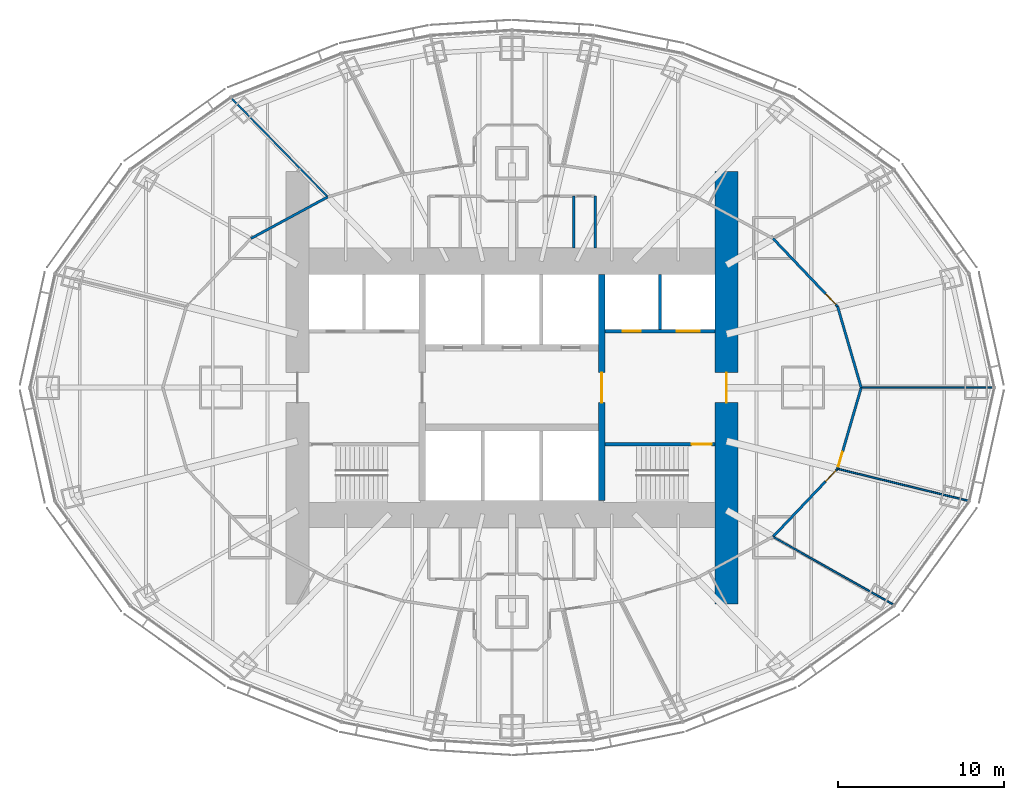
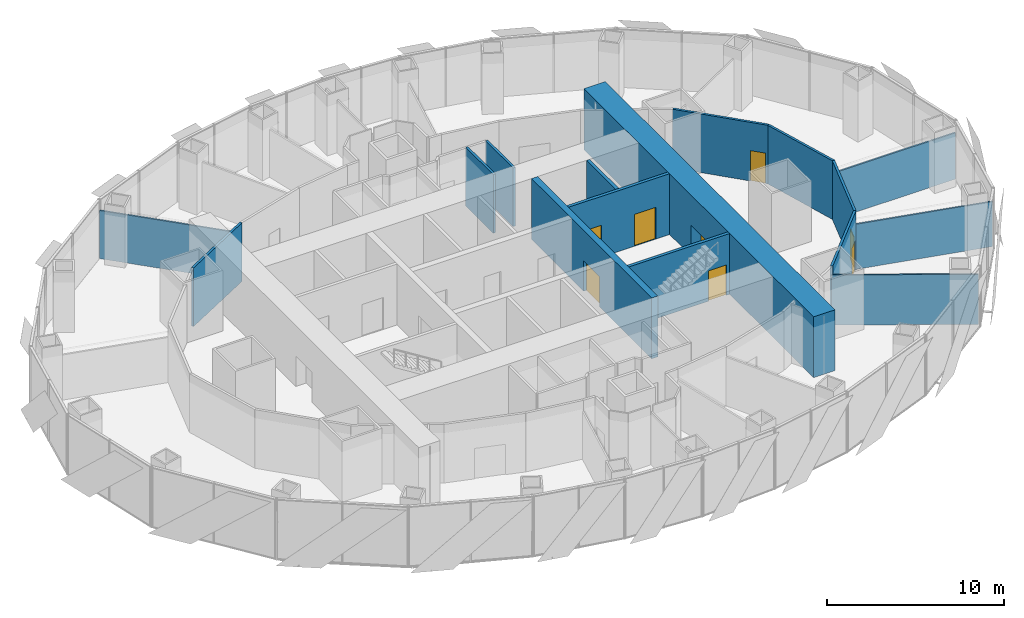
# One storey, part 12 of 18: 16 walls, 8 doors, 8 openings.
"""IFC4 building model written with IfcOpenShell, lengths in metres."""

from ifc_helpers import new_model, si_unit, direction, frame, frame_2d, origin, place, context, subcontext, project, spatial, rectangle, extrude, material, layer, layer_set, type_object, element, fill, save


model = new_model("IFC4")

# Units and contexts
model_context = context("Model", 3, precision=1e-05, world=origin(), true_north=direction((0.0, 1.0)))
body_context = subcontext(model_context, "Body", "Model", "MODEL_VIEW")
ifc_project = project(units=[si_unit("LENGTHUNIT", "METRE"), si_unit("AREAUNIT", "SQUARE_METRE"), si_unit("VOLUMEUNIT", "CUBIC_METRE"), si_unit("PLANEANGLEUNIT", "RADIAN"), si_unit("MASSUNIT", "GRAM", prefix="KILO")], contexts=[model_context])

# Site, building, storey
site_placement = place(None, origin())
site = spatial("IfcSite", under=ifc_project, at=site_placement, CompositionType="ELEMENT")
building_placement = place(site_placement, origin())
building = spatial("IfcBuilding", under=site, at=building_placement, Name="Lantaw Convention Tower", CompositionType="ELEMENT")
storey_placement = place(building_placement, frame((0.0, 0.0, 138.39990234375)))
storey = spatial("IfcBuildingStorey", under=building, at=storey_placement, Name="L32", CompositionType="ELEMENT", Elevation=138.39990234375)

# Wall, opening, door
ifc_material_1 = material(Name="Concrete C60/75", Category="concrete")
ifc_layer_1 = layer(ifc_material_1, 1.39990234375)
ifc_layer_set_1 = layer_set([ifc_layer_1], Name="Core wall 1400")
wall_type_1 = type_object("IfcWallType", Name="Core wall 1400", PredefinedType="SHEAR", material=ifc_layer_set_1)
wall_1_placement = place(storey_placement, frame((12.89990234375, -13.0, 0.0), z_axis=(0.0, 0.0, 1.0), x_axis=(0.0, 1.0, 0.0)))
wall_1 = element("IfcWall", 1, at=wall_1_placement, inside=storey, type_object=wall_type_1, Name="Core wall E", PredefinedType="SHEAR", context=body_context, shape_type="SweptSolid", body=[
    extrude(rectangle(XDim=26.0, YDim=1.39990234375, at=frame_2d((13.0, 0.0))), origin(), (0.0, 0.0, 1.0), 4.2001953125),
])
opening_1_placement = place(wall_1_placement, frame((12.10009765625, 0.0, 0.0)))
opening_1 = element("IfcOpeningElement", 2, at=opening_1_placement, cuts=wall_1, Name="Opening L32.05", PredefinedType="OPENING", context=body_context, shape_type="SweptSolid", body=[
    extrude(rectangle(XDim=1.800048828125, YDim=2.10009765625, at=frame_2d((0.89990234375, 1.050048828125))), frame((0.0, 0.7099609375, 0.0), z_axis=(0.0, -1.0, 0.0), x_axis=(1.0, 0.0, 0.0)), (0.0, 0.0, 1.0), 1.419921875),
])
ifc_material_2 = material(Name="Steel, fire rated", Category="steel")
door_type_1 = type_object("IfcDoorType", Name="Lobby double door FD90", OperationType="DOUBLE_DOOR_DOUBLE_SWING", PredefinedType="DOOR", material=ifc_material_2)
door_1_placement = place(opening_1_placement, origin())
door_1 = element("IfcDoor", 3, at=door_1_placement, inside=storey, type_object=door_type_1, Name="Firefighting lobby door", OperationType="DOUBLE_DOOR_DOUBLE_SWING", OverallHeight=2.10009765625, OverallWidth=1.800048828125, PredefinedType="DOOR", context=body_context, shape_type="SweptSolid", body=[
    extrude(rectangle(XDim=1.800048828125, YDim=2.10009765625, at=frame_2d((0.89990234375, 1.050048828125))), frame((0.0, 0.02490234375, 0.0), z_axis=(0.0, -1.0, 0.0), x_axis=(1.0, 0.0, 0.0)), (0.0, 0.0, 1.0), 0.050048828125),
])
fill(opening_1, door_1)

ifc_layer_2 = layer(ifc_material_1, 0.199951171875)
ifc_layer_set_2 = layer_set([ifc_layer_2], Name="Core wall 200")
wall_type_2 = type_object("IfcWallType", Name="Core wall 200", PredefinedType="SHEAR", material=ifc_layer_set_2)
wall_2_placement = place(storey_placement, frame((5.60009765625, -3.39990234375, 0.0), z_axis=(0.0, 0.0, 1.0), x_axis=(1.0, 0.0, 0.0)))
wall_2 = element("IfcWall", 4, at=wall_2_placement, inside=storey, type_object=wall_type_2, Name="Core wall ES", PredefinedType="SHEAR", context=body_context, shape_type="SweptSolid", body=[
    extrude(rectangle(XDim=6.599853515625, YDim=0.199951171875, at=frame_2d((3.2998046875, 0.0))), origin(), (0.0, 0.0, 1.0), 4.2001953125),
])
opening_2_placement = place(wall_2_placement, frame((5.199951171875, 0.0, 0.0)))
opening_2 = element("IfcOpeningElement", 5, at=opening_2_placement, cuts=wall_2, Name="Opening L32.03", PredefinedType="OPENING", context=body_context, shape_type="SweptSolid", body=[
    extrude(rectangle(XDim=1.199951171875, YDim=2.10009765625, at=frame_2d((0.60009765625, 1.050048828125))), frame((0.0, 0.10986328125, 0.0), z_axis=(0.0, -1.0, 0.0), x_axis=(1.0, 0.0, 0.0)), (0.0, 0.0, 1.0), 0.219970703125),
])
door_type_2 = type_object("IfcDoorType", Name="Stair door FD90", OperationType="SINGLE_SWING_RIGHT", PredefinedType="DOOR", material=ifc_material_2)
door_2_placement = place(opening_2_placement, origin())
door_2 = element("IfcDoor", 6, at=door_2_placement, inside=storey, type_object=door_type_2, Name="Exit stair door", OperationType="SINGLE_SWING_RIGHT", OverallHeight=2.10009765625, OverallWidth=1.199951171875, PredefinedType="DOOR", context=body_context, shape_type="SweptSolid", body=[
    extrude(rectangle(XDim=1.199951171875, YDim=2.10009765625, at=frame_2d((0.60009765625, 1.050048828125))), frame((0.0, 0.02490234375, 0.0), z_axis=(0.0, -1.0, 0.0), x_axis=(1.0, 0.0, 0.0)), (0.0, 0.0, 1.0), 0.050048828125),
])
fill(opening_2, door_2)

ifc_layer_3 = layer(ifc_material_1, 0.39990234375)
ifc_layer_set_3 = layer_set([ifc_layer_3], Name="Core wall 400")
wall_type_3 = type_object("IfcWallType", Name="Core wall 400", PredefinedType="SHEAR", material=ifc_layer_set_3)
wall_3_placement = place(storey_placement, frame((5.39990234375, -6.800048828125, 0.0), z_axis=(0.0, 0.0, 1.0), x_axis=(0.0, 1.0, 0.0)))
wall_3 = element("IfcWall", 7, at=wall_3_placement, inside=storey, type_object=wall_type_3, Name="Core wall XE", PredefinedType="SHEAR", context=body_context, shape_type="SweptSolid", body=[
    extrude(rectangle(XDim=13.60009765625, YDim=0.39990234375, at=frame_2d((6.800048828125, 0.0))), origin(), (0.0, 0.0, 1.0), 4.2001953125),
])
opening_3_placement = place(wall_3_placement, frame((5.89990234375, 0.0, 0.0)))
opening_3 = element("IfcOpeningElement", 8, at=opening_3_placement, cuts=wall_3, Name="Opening L32.01", PredefinedType="OPENING", context=body_context, shape_type="SweptSolid", body=[
    extrude(rectangle(XDim=1.800048828125, YDim=2.10009765625, at=frame_2d((0.89990234375, 1.050048828125))), frame((0.0, 0.2099609375, 0.0), z_axis=(0.0, -1.0, 0.0), x_axis=(1.0, 0.0, 0.0)), (0.0, 0.0, 1.0), 0.419921875),
])
door_3_placement = place(opening_3_placement, origin())
door_3 = element("IfcDoor", 9, at=door_3_placement, inside=storey, type_object=door_type_1, Name="Lift lobby door", OperationType="DOUBLE_DOOR_DOUBLE_SWING", OverallHeight=2.10009765625, OverallWidth=1.800048828125, PredefinedType="DOOR", context=body_context, shape_type="SweptSolid", body=[
    extrude(rectangle(XDim=1.800048828125, YDim=2.10009765625, at=frame_2d((0.89990234375, 1.050048828125))), frame((0.0, 0.02490234375, 0.0), z_axis=(0.0, -1.0, 0.0), x_axis=(1.0, 0.0, 0.0)), (0.0, 0.0, 1.0), 0.050048828125),
])
fill(opening_3, door_3)

# Wall
ifc_material_3 = material(Name="Gypsum board on steel studs, fire rated", Category="steel")
ifc_layer_4 = layer(ifc_material_3, 0.14990234375)
ifc_layer_set_4 = layer_set([ifc_layer_4], Name="Corridor wall 150 EI 60")
wall_type_4 = type_object("IfcWallType", Name="Corridor wall 150 EI 60", PredefinedType="PARTITIONING", material=ifc_layer_set_4)
wall_4_placement = place(storey_placement, frame((21.0, 0.0, 0.0), z_axis=(0.0, 0.0, 1.0), x_axis=(-0.279474430869, 0.960153134917, 0.0)))
element("IfcWall", 10, at=wall_4_placement, inside=storey, type_object=wall_type_4, Name="Corridor wall 150", PredefinedType="PARTITIONING", context=body_context, shape_type="SweptSolid", body=[
    extrude(rectangle(XDim=5.084228515625, YDim=0.14990234375, at=frame_2d((2.5419921875, 0.0))), origin(), (0.0, 0.0, 1.0), 4.050048828125),
])

# Wall, opening, door
wall_5_placement = place(storey_placement, frame((19.5791015625, 4.881591796875, 0.0), z_axis=(0.0, 0.0, 1.0), x_axis=(-0.688797257101, 0.72495402517, 0.0)))
wall_5 = element("IfcWall", 11, at=wall_5_placement, inside=storey, type_object=wall_type_4, Name="Corridor wall 150", PredefinedType="PARTITIONING", context=body_context, shape_type="SweptSolid", body=[
    extrude(rectangle(XDim=5.63818359375, YDim=0.14990234375, at=frame_2d((2.819091796875, 0.0))), origin(), (0.0, 0.0, 1.0), 4.050048828125),
])
opening_4_placement = place(wall_5_placement, frame((0.14990234375, 0.0, 0.0)))
opening_4 = element("IfcOpeningElement", 12, at=opening_4_placement, cuts=wall_5, Name="Opening L32.22", PredefinedType="OPENING", context=body_context, shape_type="SweptSolid", body=[
    extrude(rectangle(XDim=0.89990234375, YDim=2.10009765625, at=frame_2d((0.449951171875, 1.050048828125))), frame((0.0, 0.0849609375, 0.0), z_axis=(0.0, -1.0, 0.0), x_axis=(1.0, 0.0, 0.0)), (0.0, 0.0, 1.0), 0.169921875),
])
door_type_3 = type_object("IfcDoorType", Name="Office door 900 FD30", OperationType="SINGLE_SWING_LEFT", PredefinedType="DOOR", material=ifc_material_2)
door_4_placement = place(opening_4_placement, origin())
door_4 = element("IfcDoor", 13, at=door_4_placement, inside=storey, type_object=door_type_3, Name="Reception door", OperationType="SINGLE_SWING_LEFT", OverallHeight=2.10009765625, OverallWidth=0.89990234375, PredefinedType="DOOR", context=body_context, shape_type="SweptSolid", body=[
    extrude(rectangle(XDim=0.89990234375, YDim=2.10009765625, at=frame_2d((0.449951171875, 1.050048828125))), frame((0.0, 0.02490234375, 0.0), z_axis=(0.0, -1.0, 0.0), x_axis=(1.0, 0.0, 0.0)), (0.0, 0.0, 1.0), 0.050048828125),
])
fill(opening_4, door_4)

# Wall
wall_6_placement = place(storey_placement, frame((-11.075927734375, 11.469482421875, 0.0), z_axis=(0.0, 0.0, 1.0), x_axis=(-0.879436285334, -0.476016617397, 0.0)))
element("IfcWall", 14, at=wall_6_placement, inside=storey, type_object=wall_type_4, Name="Corridor wall 150", PredefinedType="PARTITIONING", context=body_context, shape_type="SweptSolid", body=[
    extrude(rectangle(XDim=5.2529296875, YDim=0.14990234375, at=frame_2d((2.62646484375, 0.0))), origin(), (0.0, 0.0, 1.0), 4.050048828125),
])

# Wall, opening, door
wall_7_placement = place(storey_placement, frame((15.695556640625, -8.968994140625, 0.0), z_axis=(0.0, 0.0, 1.0), x_axis=(0.688797257101, 0.72495402517, 0.0)))
wall_7 = element("IfcWall", 15, at=wall_7_placement, inside=storey, type_object=wall_type_4, Name="Corridor wall 150", PredefinedType="PARTITIONING", context=body_context, shape_type="SweptSolid", body=[
    extrude(rectangle(XDim=5.63818359375, YDim=0.14990234375, at=frame_2d((2.819091796875, 0.0))), origin(), (0.0, 0.0, 1.0), 4.050048828125),
])
opening_5_placement = place(wall_7_placement, frame((4.587890625, 0.0, 0.0)))
opening_5 = element("IfcOpeningElement", 16, at=opening_5_placement, cuts=wall_7, Name="Opening L32.34", PredefinedType="OPENING", context=body_context, shape_type="SweptSolid", body=[
    extrude(rectangle(XDim=0.89990234375, YDim=2.10009765625, at=frame_2d((0.449951171875, 1.050048828125))), frame((0.0, 0.0849609375, 0.0), z_axis=(0.0, -1.0, 0.0), x_axis=(1.0, 0.0, 0.0)), (0.0, 0.0, 1.0), 0.169921875),
])
door_5_placement = place(opening_5_placement, origin())
door_5 = element("IfcDoor", 17, at=door_5_placement, inside=storey, type_object=door_type_3, Name="Private office door", OperationType="SINGLE_SWING_LEFT", OverallHeight=2.10009765625, OverallWidth=0.89990234375, PredefinedType="DOOR", context=body_context, shape_type="SweptSolid", body=[
    extrude(rectangle(XDim=0.89990234375, YDim=2.10009765625, at=frame_2d((0.449951171875, 1.050048828125))), frame((0.0, 0.02490234375, 0.0), z_axis=(0.0, -1.0, 0.0), x_axis=(1.0, 0.0, 0.0)), (0.0, 0.0, 1.0), 0.050048828125),
])
fill(opening_5, door_5)

wall_8_placement = place(storey_placement, frame((19.5791015625, -4.881591796875, 0.0), z_axis=(0.0, 0.0, 1.0), x_axis=(0.279474430869, 0.960153134917, 0.0)))
wall_8 = element("IfcWall", 18, at=wall_8_placement, inside=storey, type_object=wall_type_4, Name="Corridor wall 150", PredefinedType="PARTITIONING", context=body_context, shape_type="SweptSolid", body=[
    extrude(rectangle(XDim=5.084228515625, YDim=0.14990234375, at=frame_2d((2.5419921875, 0.0))), origin(), (0.0, 0.0, 1.0), 4.050048828125),
])
opening_6_placement = place(wall_8_placement, frame((0.14990234375, 0.0, 0.0)))
opening_6 = element("IfcOpeningElement", 19, at=opening_6_placement, cuts=wall_8, Name="Opening L32.35", PredefinedType="OPENING", context=body_context, shape_type="SweptSolid", body=[
    extrude(rectangle(XDim=0.89990234375, YDim=2.10009765625, at=frame_2d((0.449951171875, 1.050048828125))), frame((0.0, 0.0849609375, 0.0), z_axis=(0.0, -1.0, 0.0), x_axis=(1.0, 0.0, 0.0)), (0.0, 0.0, 1.0), 0.169921875),
])
door_6_placement = place(opening_6_placement, origin())
door_6 = element("IfcDoor", 20, at=door_6_placement, inside=storey, type_object=door_type_3, Name="Quiet room door", OperationType="SINGLE_SWING_LEFT", OverallHeight=2.10009765625, OverallWidth=0.89990234375, PredefinedType="DOOR", context=body_context, shape_type="SweptSolid", body=[
    extrude(rectangle(XDim=0.89990234375, YDim=2.10009765625, at=frame_2d((0.449951171875, 1.050048828125))), frame((0.0, 0.02490234375, 0.0), z_axis=(0.0, -1.0, 0.0), x_axis=(1.0, 0.0, 0.0)), (0.0, 0.0, 1.0), 0.050048828125),
])
fill(opening_6, door_6)

# Walls
ifc_material_4 = material(Name="Gypsum board on steel studs, acoustic", Category="steel")
ifc_layer_5 = layer(ifc_material_4, 0.10009765625)
ifc_layer_set_5 = layer_set([ifc_layer_5], Name="Office partition 100")
wall_type_5 = type_object("IfcWallType", Name="Office partition 100", PredefinedType="PARTITIONING", material=ifc_layer_set_5)
wall_9_placement = place(storey_placement, frame((28.944091796875, 0.0, 0.0), z_axis=(0.0, 0.0, 1.0), x_axis=(-1.0, 0.0, 0.0)))
element("IfcWall", 21, at=wall_9_placement, inside=storey, type_object=wall_type_5, Name="Office partition 100", PredefinedType="PARTITIONING", context=body_context, shape_type="SweptSolid", body=[
    extrude(rectangle(XDim=7.944091796875, YDim=0.10009765625, at=frame_2d((3.97216796875, 0.0))), origin(), (0.0, 0.0, 1.0), 3.204345703125),
])
wall_10_placement = place(storey_placement, frame((-16.88232421875, 17.413818359375, 0.0), z_axis=(0.0, 0.0, 1.0), x_axis=(0.698758056249, -0.715358077348, 0.0)))
element("IfcWall", 22, at=wall_10_placement, inside=storey, type_object=wall_type_5, Name="Office partition 100", PredefinedType="PARTITIONING", context=body_context, shape_type="SweptSolid", body=[
    extrude(rectangle(XDim=8.3095703125, YDim=0.10009765625, at=frame_2d((4.15478515625, 0.0))), origin(), (0.0, 0.0, 1.0), 3.321044921875),
])
wall_11_placement = place(storey_placement, frame((22.94921875, -13.058837890625, 0.0), z_axis=(0.0, 0.0, 1.0), x_axis=(-0.871079462611, 0.491142107558, 0.0)))
element("IfcWall", 23, at=wall_11_placement, inside=storey, type_object=wall_type_5, Name="Office partition 100", PredefinedType="PARTITIONING", context=body_context, shape_type="SweptSolid", body=[
    extrude(rectangle(XDim=8.3271484375, YDim=0.10009765625, at=frame_2d((4.16357421875, 0.0))), origin(), (0.0, 0.0, 1.0), 3.45068359375),
])
wall_12_placement = place(storey_placement, frame((27.440673828125, -6.808837890625, 0.0), z_axis=(0.0, 0.0, 1.0), x_axis=(-0.971241251223, 0.238097526075, 0.0)))
element("IfcWall", 24, at=wall_12_placement, inside=storey, type_object=wall_type_5, Name="Office partition 100", PredefinedType="PARTITIONING", context=body_context, shape_type="SweptSolid", body=[
    extrude(rectangle(XDim=8.09423828125, YDim=0.10009765625, at=frame_2d((4.047119140625, 0.0))), origin(), (0.0, 0.0, 1.0), 3.11279296875),
])

# Wall, openings, doors
ifc_material_5 = material(Name="Concrete blockwork, fire rated", Category="masonry")
ifc_layer_6 = layer(ifc_material_5, 0.199951171875)
ifc_layer_set_6 = layer_set([ifc_layer_6], Name="Shaft wall 200")
wall_type_6 = type_object("IfcWallType", Name="Shaft wall 200", PredefinedType="SOLIDWALL", material=ifc_layer_set_6)
wall_13_placement = place(storey_placement, frame((12.199951171875, 3.39990234375, 0.0), z_axis=(0.0, 0.0, 1.0), x_axis=(-1.0, 0.0, 0.0)))
wall_13 = element("IfcWall", 25, at=wall_13_placement, inside=storey, type_object=wall_type_6, Name="Shaft wall EN", PredefinedType="SOLIDWALL", context=body_context, shape_type="SweptSolid", body=[
    extrude(rectangle(XDim=6.599853515625, YDim=0.199951171875, at=frame_2d((3.2998046875, 0.0))), origin(), (0.0, 0.0, 1.0), 4.2001953125),
])
opening_7_placement = place(wall_13_placement, frame((4.449951171875, 0.0, 0.0)))
opening_7 = element("IfcOpeningElement", 26, at=opening_7_placement, cuts=wall_13, Name="Opening L32.12", PredefinedType="OPENING", context=body_context, shape_type="SweptSolid", body=[
    extrude(rectangle(XDim=1.10009765625, YDim=2.199951171875, at=frame_2d((0.550048828125, 1.10009765625))), frame((0.0, 0.10986328125, 0.0), z_axis=(0.0, -1.0, 0.0), x_axis=(1.0, 0.0, 0.0)), (0.0, 0.0, 1.0), 0.219970703125),
])
opening_8_placement = place(wall_13_placement, frame((0.89990234375, 0.0, 0.0)))
opening_8 = element("IfcOpeningElement", 27, at=opening_8_placement, cuts=wall_13, Name="Opening L32.13", PredefinedType="OPENING", context=body_context, shape_type="SweptSolid", body=[
    extrude(rectangle(XDim=1.39990234375, YDim=2.199951171875, at=frame_2d((0.699951171875, 1.10009765625))), frame((0.0, 0.10986328125, 0.0), z_axis=(0.0, -1.0, 0.0), x_axis=(1.0, 0.0, 0.0)), (0.0, 0.0, 1.0), 0.219970703125),
])
ifc_material_6 = material(Name="Stainless steel", Category="steel")
door_type_4 = type_object("IfcDoorType", Name="Lift landing door 1100", OperationType="DOUBLE_DOOR_SLIDING", PredefinedType="DOOR", material=ifc_material_6)
door_7_placement = place(opening_7_placement, origin())
door_7 = element("IfcDoor", 28, at=door_7_placement, inside=storey, type_object=door_type_4, Name="Lift landing door FF2", OperationType="DOUBLE_DOOR_SLIDING", OverallHeight=2.199951171875, OverallWidth=1.10009765625, PredefinedType="DOOR", context=body_context, shape_type="SweptSolid", body=[
    extrude(rectangle(XDim=1.10009765625, YDim=2.199951171875, at=frame_2d((0.550048828125, 1.10009765625))), frame((0.0, 0.02490234375, 0.0), z_axis=(0.0, -1.0, 0.0), x_axis=(1.0, 0.0, 0.0)), (0.0, 0.0, 1.0), 0.050048828125),
])
fill(opening_7, door_7)
door_type_5 = type_object("IfcDoorType", Name="Lift landing door 1400", OperationType="DOUBLE_DOOR_SLIDING", PredefinedType="DOOR", material=ifc_material_6)
door_8_placement = place(opening_8_placement, origin())
door_8 = element("IfcDoor", 29, at=door_8_placement, inside=storey, type_object=door_type_5, Name="Lift landing door SV2", OperationType="DOUBLE_DOOR_SLIDING", OverallHeight=2.199951171875, OverallWidth=1.39990234375, PredefinedType="DOOR", context=body_context, shape_type="SweptSolid", body=[
    extrude(rectangle(XDim=1.39990234375, YDim=2.199951171875, at=frame_2d((0.699951171875, 1.10009765625))), frame((0.0, 0.02490234375, 0.0), z_axis=(0.0, -1.0, 0.0), x_axis=(1.0, 0.0, 0.0)), (0.0, 0.0, 1.0), 0.050048828125),
])
fill(opening_8, door_8)

# Walls
wall_14_placement = place(storey_placement, frame((8.89990234375, 3.5, 0.0), z_axis=(0.0, 0.0, 1.0), x_axis=(0.0, 1.0, 0.0)))
element("IfcWall", 30, at=wall_14_placement, inside=storey, type_object=wall_type_6, Name="Shaft wall ED", PredefinedType="SOLIDWALL", context=body_context, shape_type="SweptSolid", body=[
    extrude(rectangle(XDim=3.300048828125, YDim=0.199951171875, at=frame_2d((1.64990234375, 0.0))), origin(), (0.0, 0.0, 1.0), 4.2001953125),
])
ifc_material_7 = material(Name="Concrete blockwork", Category="masonry")
ifc_layer_7 = layer(ifc_material_7, 0.14990234375)
ifc_layer_set_7 = layer_set([ifc_layer_7], Name="WC wall 150")
wall_type_7 = type_object("IfcWallType", Name="WC wall 150", PredefinedType="SOLIDWALL", material=ifc_layer_set_7)
for number, where, z_axis, x_axis, name in (
    (31, (5.0, 8.39990234375, 0.0), (0.0, 0.0, 1.0), (0.0, 1.0, 0.0), "WC wall 150"),
    (32, (3.699951171875, 8.39990234375, 0.0), (0.0, 0.0, 1.0), (0.0, 1.0, 0.0), "WC wall 150"),
):
    element("IfcWall", number, at=place(storey_placement, frame(where, z_axis=z_axis, x_axis=x_axis)), inside=storey, type_object=wall_type_7, Name=name, PredefinedType="SOLIDWALL", context=body_context, shape_type="SweptSolid", body=[
        extrude(rectangle(XDim=3.112060546875, YDim=0.14990234375, at=frame_2d((1.55615234375, 0.0))), origin(), (0.0, 0.0, 1.0), 4.050048828125),
    ])

save(model, "model.ifc")
